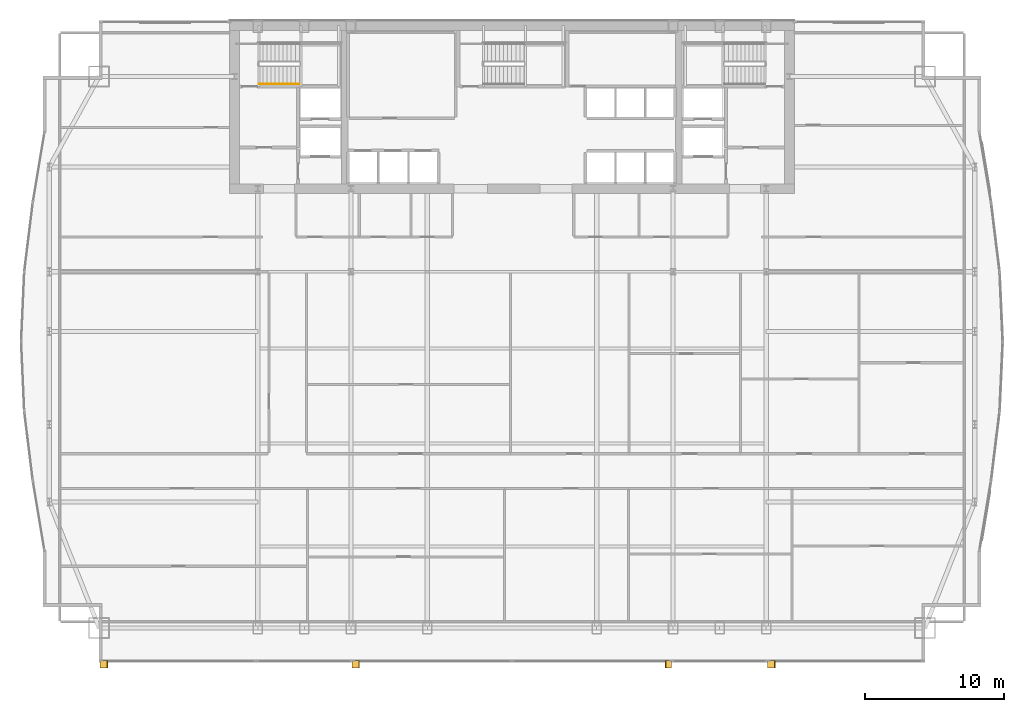
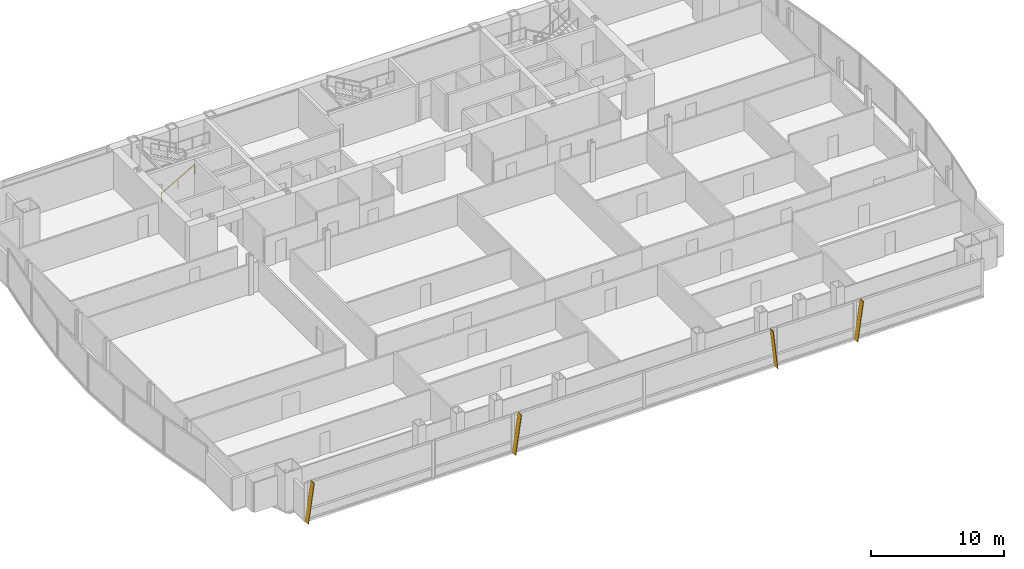
# One storey, part 30 of 31: 4 shading devices, 1 railing.
"""IFC4 building model written with IfcOpenShell, lengths in metres."""

from ifc_helpers import new_model, si_unit, direction, frame, origin, origin_2d, place, context, subcontext, project, spatial, polyline, rectangle, outline, extrude, material, layer, layer_set, type_object, element, save


model = new_model("IFC4")

# Units and contexts
model_context = context("Model", 3, precision=1e-05, world=origin(), true_north=direction((0.0, 1.0)))
body_context = subcontext(model_context, "Body", "Model", "MODEL_VIEW")
ifc_project = project(units=[si_unit("LENGTHUNIT", "METRE"), si_unit("AREAUNIT", "SQUARE_METRE"), si_unit("VOLUMEUNIT", "CUBIC_METRE"), si_unit("PLANEANGLEUNIT", "RADIAN"), si_unit("MASSUNIT", "GRAM", prefix="KILO")], contexts=[model_context])

# Site, building, storey
site_placement = place(None, origin())
site = spatial("IfcSite", under=ifc_project, at=site_placement, CompositionType="ELEMENT")
building_placement = place(site_placement, origin())
building = spatial("IfcBuilding", under=site, at=building_placement, Name="Khoronbel Lancet Exchange", CompositionType="ELEMENT")
storey_placement = place(building_placement, frame((0.0, 0.0, 121.800048828125)))
storey = spatial("IfcBuildingStorey", under=building, at=storey_placement, Name="L29", CompositionType="ELEMENT", Elevation=121.800048828125)

# Railing
ifc_material_1 = material(Name="Brushed Stainless Steel 316", Category="steel")
railing_type = type_object("IfcRailingType", Name="RL-STH92", PredefinedType="HANDRAIL", material=ifc_material_1)
railing_placement = place(storey_placement, frame((18.300048828125, 49.169921875, 0.16357421875)))
element("IfcRailing", 1, at=railing_placement, inside=storey, type_object=railing_type, Name="L29 ST1 stair handrail 1", PredefinedType="HANDRAIL", context=body_context, shape_type="SweptSolid", body=[
    extrude(rectangle(XDim=0.048095703125, YDim=0.048095703125, at=origin_2d()), frame((0.0, 0.0, 0.8759765625), z_axis=(0.870897200241, 0.0, 0.491465224214), x_axis=(0.0, 1.0, 0.0)), (0.0, 0.0, 1.0), 3.329833984375),
    extrude(rectangle(XDim=0.0419921875, YDim=0.0419921875, at=origin_2d()), origin(), (0.0, 0.0, 1.0), 0.851806640625),
    extrude(rectangle(XDim=0.0419921875, YDim=0.0419921875, at=origin_2d()), frame((1.449951171875, 0.0, 0.818359375)), (0.0, 0.0, 1.0), 0.851806640625),
    extrude(rectangle(XDim=0.0419921875, YDim=0.0419921875, at=origin_2d()), frame((2.89990234375, 0.0, 1.636474609375)), (0.0, 0.0, 1.0), 0.851806640625),
])

# Shading devices
ifc_material_2 = material(Name="Bronze-Anodised Aluminium 6063-T6", Category="aluminium")
ifc_layer = layer(ifc_material_2, 0.054931640625, Name="Bronze-Anodised Aluminium 6063-T6")
ifc_layer_set = layer_set([ifc_layer], Name="Bronze-Anodised Aluminium 6063-T6")
shading_device_type = type_object("IfcShadingDeviceType", Name="SHD-FIN1", PredefinedType="USERDEFINED", material=ifc_layer_set)
for number, where, z_axis, x_axis, name in (
    (2, (6.91259765625, 7.81005859375, -0.080078125), (-0.990092925251, 0.0, 0.140413672296), (0.0, -1.0, 0.0), "Slanted bronze solar fin CW-L29-SWV-0"),
    (3, (24.972412109375, 7.81005859375, -0.080078125), (-0.990083483708, 0.0, 0.140480230955), (0.0, -1.0, 0.0), "Slanted bronze solar fin CW-L29-SCV-0"),
):
    element("IfcShadingDevice", number, at=place(storey_placement, frame(where, z_axis=z_axis, x_axis=x_axis)), inside=storey, type_object=shading_device_type, Name=name, ObjectType="FIN", PredefinedType="USERDEFINED", context=body_context, shape_type="SweptSolid", body=[
        extrude(outline(polyline([(0.0, 0.0), (0.52001953125, 0.0), (0.52001953125, 3.595703125), (0.0, 3.595703125), (0.0, 0.0)])), origin(), (0.0, 0.0, -1.0), 0.054931640625),
    ])
shading_device_1_placement = place(storey_placement, frame((47.87255859375, 7.81005859375, -0.080078125), z_axis=(0.993900347655, 0.0, 0.110281906632), x_axis=(0.0, -1.0, 0.0)))
element("IfcShadingDevice", 4, at=shading_device_1_placement, inside=storey, type_object=shading_device_type, Name="Slanted bronze solar fin CW-L29-SCV-2", ObjectType="FIN", PredefinedType="USERDEFINED", context=body_context, shape_type="SweptSolid", body=[
    extrude(outline(polyline([(0.0, 0.0), (0.52001953125, 0.0), (0.52001953125, -3.581787109375), (0.0, -3.581787109375), (0.0, 0.0)])), origin(), (0.0, 0.0, -1.0), 0.054931640625),
])
shading_device_2_placement = place(storey_placement, frame((54.7724609375, 7.81005859375, -0.080078125), z_axis=(-0.990083483708, 0.0, 0.140480230955), x_axis=(0.0, -1.0, 0.0)))
element("IfcShadingDevice", 5, at=shading_device_2_placement, inside=storey, type_object=shading_device_type, Name="Slanted bronze solar fin CW-L29-SEV-0", ObjectType="FIN", PredefinedType="USERDEFINED", context=body_context, shape_type="SweptSolid", body=[
    extrude(outline(polyline([(0.0, 0.0), (0.52001953125, 0.0), (0.52001953125, 3.595703125), (0.0, 3.595703125), (0.0, 0.0)])), origin(), (0.0, 0.0, -1.0), 0.054931640625),
])

save(model, "model.ifc")
